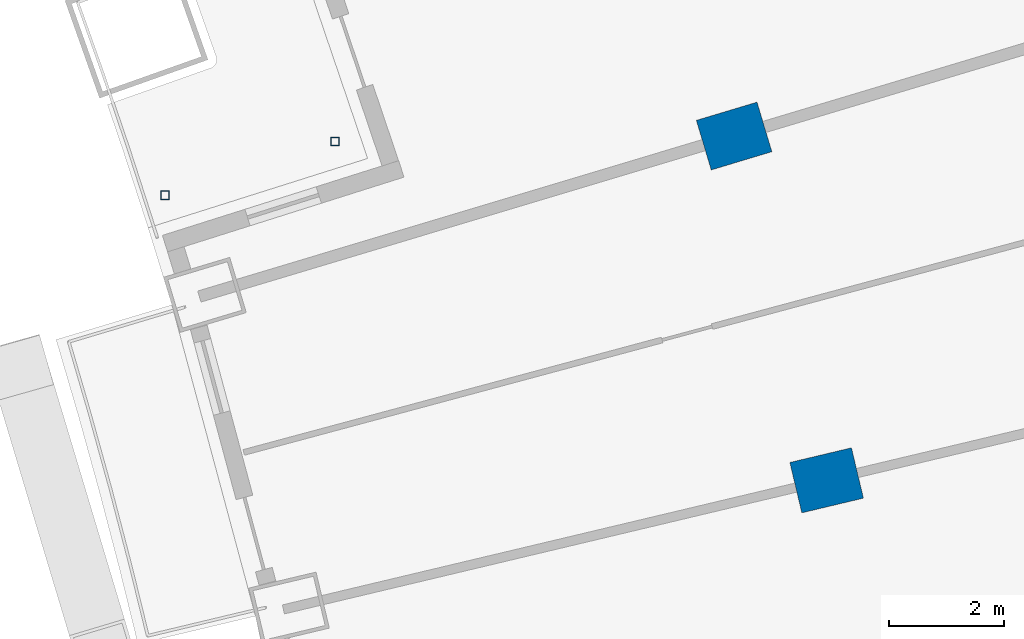
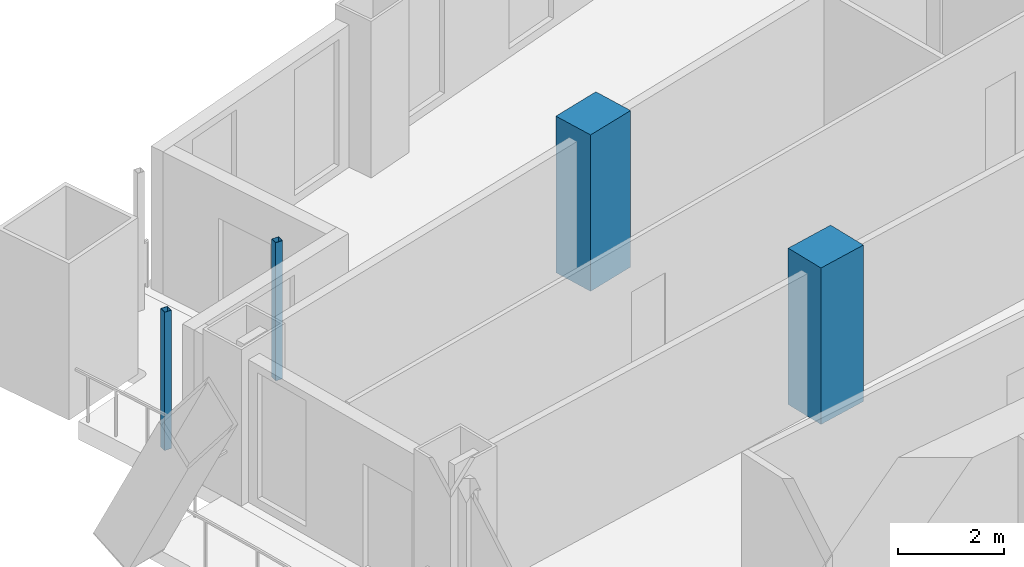
# One storey, part 7 of 25: 4 columns.
"""IFC4 building model written with IfcOpenShell, lengths in metres."""

from ifc_helpers import new_model, si_unit, direction, frame, origin, origin_2d, place, context, subcontext, project, spatial, rectangle, hollow_rectangle, extrude, material, material_profile, profile_set, type_object, element, save


model = new_model("IFC4")

# Units and contexts
model_context = context("Model", 3, precision=1e-05, world=origin(), true_north=direction((0.0, 1.0)))
body_context = subcontext(model_context, "Body", "Model", "MODEL_VIEW")
ifc_project = project(units=[si_unit("LENGTHUNIT", "METRE"), si_unit("AREAUNIT", "SQUARE_METRE"), si_unit("VOLUMEUNIT", "CUBIC_METRE"), si_unit("PLANEANGLEUNIT", "RADIAN"), si_unit("MASSUNIT", "GRAM", prefix="KILO")], contexts=[model_context])

# Site, building, storey
site_placement = place(None, origin())
site = spatial("IfcSite", under=ifc_project, at=site_placement, CompositionType="ELEMENT")
building_placement = place(site_placement, origin())
building = spatial("IfcBuilding", under=site, at=building_placement, Name="Alderwake Tower", CompositionType="ELEMENT")
storey_placement = place(building_placement, frame((0.0, 0.0, 42.800048828125)))
storey = spatial("IfcBuildingStorey", under=building, at=storey_placement, Name="L09", CompositionType="ELEMENT", Elevation=42.800048828125)

# Columns
ifc_material_1 = material(Name="Concrete C70/85", Category="concrete")
ifc_material_profile_1 = material_profile(ifc_material_1, rectangle(XDim=0.89990234375, YDim=1.10009765625, at=origin_2d()), Name="RC 1100X900")
ifc_profile_set_1 = profile_set([ifc_material_profile_1], Name="Concrete C70/85")
column_type_1 = type_object("IfcColumnType", Name="Interior column Z1", PredefinedType="COLUMN", material=ifc_profile_set_1)
for number, where, z_axis, x_axis, name in (
    (1, (23.322021484375, 85.555908203125, 0.0), (0.0, 0.0, 1.0), (-0.231221547198, 0.972901123502, 0.0), "Column R11-C1"),
    (2, (21.714599609375, 91.53759765625, 0.0), (0.0, 0.0, 1.0), (-0.287549418125, 0.957765802342, 0.0), "Column R12-C1"),
):
    element("IfcColumn", number, at=place(storey_placement, frame(where, z_axis=z_axis, x_axis=x_axis)), inside=storey, type_object=column_type_1, Name=name, PredefinedType="COLUMN", context=body_context, shape_type="SweptSolid", body=[
        extrude(rectangle(XDim=0.89990234375, YDim=1.10009765625, at=origin_2d()), origin(), (0.0, 0.0, 1.0), 3.599853515625),
    ])
ifc_material_2 = material(Name="Steel ASTM A500 Grade C", Category="steel")
ifc_material_profile_2 = material_profile(ifc_material_2, hollow_rectangle(XDim=0.15234375, YDim=0.15234375, WallThickness=0.0087890625, at=origin_2d()), Name="HSS6X6X3/8")
ifc_profile_set_2 = profile_set([ifc_material_profile_2], Name="Steel ASTM A500 Grade C")
column_type_2 = type_object("IfcColumnType", Name="Light post HSS6X6X3/8", PredefinedType="COLUMN", material=ifc_profile_set_2)
for number, where, z_axis, x_axis, name in (
    (3, (11.82568359375, 90.507080078125, 0.0), (0.0, 0.0, 1.0), (1.0, 0.0, 0.0), "Terrace post RN1"),
    (4, (14.781494140625, 91.441650390625, 0.0), (0.0, 0.0, 1.0), (1.0, 0.0, 0.0), "Terrace post RN3"),
):
    element("IfcColumn", number, at=place(storey_placement, frame(where, z_axis=z_axis, x_axis=x_axis)), inside=storey, type_object=column_type_2, Name=name, PredefinedType="COLUMN", context=body_context, shape_type="SweptSolid", body=[
        extrude(hollow_rectangle(XDim=0.15234375, YDim=0.15234375, WallThickness=0.0087890625, at=origin_2d()), origin(), (0.0, 0.0, 1.0), 3.179931640625),
    ])

save(model, "model.ifc")
